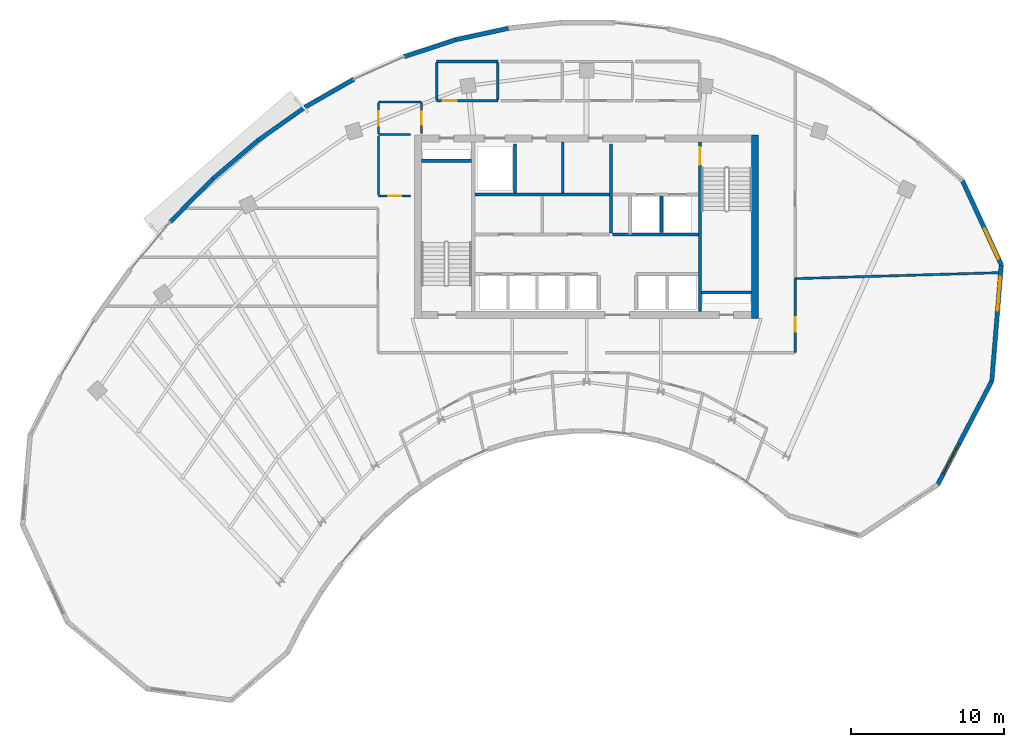
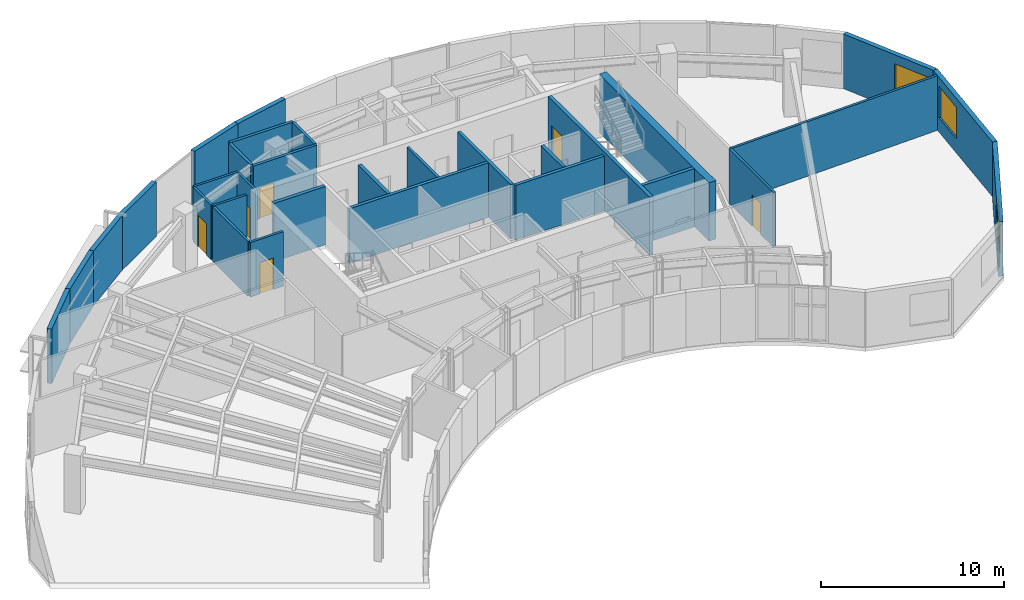
# One storey, part 9 of 12: 31 walls, 6 doors, 3 windows, 9 openings.
"""IFC4 building model written with IfcOpenShell, lengths in metres."""

from ifc_helpers import new_model, si_unit, direction, frame, frame_2d, origin, place, context, subcontext, project, spatial, rectangle, extrude, source, transform, mapped, material, layer, layer_set, type_object, type_shapes, element, fill, save


model = new_model("IFC4")

# Units and contexts
model_context = context("Model", 3, precision=1e-05, world=origin(), true_north=direction((0.0, 1.0)))
body_context = subcontext(model_context, "Body", "Model", "MODEL_VIEW")
ifc_project = project(units=[si_unit("LENGTHUNIT", "METRE"), si_unit("AREAUNIT", "SQUARE_METRE"), si_unit("VOLUMEUNIT", "CUBIC_METRE"), si_unit("PLANEANGLEUNIT", "RADIAN"), si_unit("MASSUNIT", "GRAM", prefix="KILO")], contexts=[model_context])

# Site, building, storey
site_placement = place(None, origin())
site = spatial("IfcSite", under=ifc_project, at=site_placement, CompositionType="ELEMENT")
building_placement = place(site_placement, origin())
building = spatial("IfcBuilding", under=site, at=building_placement, Name="Breltana Convention Tower", CompositionType="ELEMENT")
storey_placement = place(building_placement, frame((0.0, 0.0, 235.199951171875)))
storey = spatial("IfcBuildingStorey", under=building, at=storey_placement, Name="L57", CompositionType="ELEMENT", Elevation=235.199951171875)

# Walls
ifc_material_1 = material(Name="Concrete C50/60", Category="concrete")
ifc_layer_1 = layer(ifc_material_1, 0.39990234375, Name="Concrete C50/60")
ifc_layer_set_1 = layer_set([ifc_layer_1], Name="Concrete C50/60")
wall_type_1 = type_object("IfcWallType", Name="SW-CORE-400", PredefinedType="SHEAR", material=ifc_layer_set_1)
shared_shape_1 = source(origin(), body_context, "Body", "SweptSolid", [
    extrude(rectangle(XDim=3.27001953125, YDim=0.219970703125, at=frame_2d((1.635009765625, 0.0))), origin(), (0.0, 0.0, 1.0), 3.900146484375),
])
for number, where, z_axis, x_axis, name in (
    (1, (37.199951171875, 70.510009765625, 0.0), (0.0, 0.0, 1.0), (1.0, 0.0, 0.0), "L57 ST-1 Stairwell North Bearing Wall"),
    (2, (55.530029296875, 61.889892578125, 0.0), (0.0, 0.0, 1.0), (1.0, 0.0, 0.0), "L57 ST-2 Stairwell South Bearing Wall"),
):
    element("IfcWall", number, at=place(storey_placement, frame(where, z_axis=z_axis, x_axis=x_axis)), inside=storey, type_object=wall_type_1, Name=name, PredefinedType="SHEAR", context=body_context, shape_type="MappedRepresentation", body=[
        mapped(shared_shape_1, transform((0.0, 0.0, 0.0), scale=1.0)),
    ])
ifc_material_2 = material(Name="Concrete C60/75", Category="concrete")
ifc_layer_2 = layer(ifc_material_2, 0.449951171875, Name="Concrete C60/75")
ifc_layer_set_2 = layer_set([ifc_layer_2], Name="Concrete C60/75")
wall_type_2 = type_object("IfcWallType", Name="SW-CORE-450", PredefinedType="SHEAR", material=ifc_layer_set_2)
shared_shape_2 = source(origin(), body_context, "Body", "SweptSolid", [
    extrude(rectangle(XDim=12.0, YDim=0.449951171875, at=frame_2d((6.0, 0.0))), origin(), (0.0, 0.0, 1.0), 3.900146484375),
])
wall_1_placement = place(storey_placement, frame((59.02490234375, 60.199951171875, 0.0), z_axis=(0.0, 0.0, 1.0), x_axis=(0.0, 1.0, 0.0)))
element("IfcWall", 3, at=wall_1_placement, inside=storey, type_object=wall_type_2, Name="L57 East Core Shear Wall", PredefinedType="SHEAR", context=body_context, shape_type="MappedRepresentation", body=[
    mapped(shared_shape_2, transform((0.0, 0.0, 0.0), scale=1.0)),
])

# Wall, opening, door
shared_shape_3 = source(origin(), body_context, "Body", "SweptSolid", [
    extrude(rectangle(XDim=11.10009765625, YDim=0.219970703125, at=frame_2d((5.550048828125, 0.0))), origin(), (0.0, 0.0, 1.0), 3.900146484375),
])
wall_2_placement = place(storey_placement, frame((55.419921875, 60.64990234375, 0.0), z_axis=(0.0, 0.0, 1.0), x_axis=(0.0, 1.0, 0.0)))
wall_2 = element("IfcWall", 4, at=wall_2_placement, inside=storey, type_object=wall_type_1, Name="L57 Core East Stair Spine Wall", PredefinedType="SHEAR", context=body_context, shape_type="MappedRepresentation", body=[
    mapped(shared_shape_3, transform((0.0, 0.0, 0.0), scale=1.0)),
])
opening_1_placement = place(wall_2_placement, frame((9.594970703125, 0.0, 0.0)))
opening_1 = element("IfcOpeningElement", 5, at=opening_1_placement, cuts=wall_2, Name="Opening D-11", PredefinedType="OPENING", context=body_context, shape_type="SweptSolid", body=[
    extrude(rectangle(XDim=1.14990234375, YDim=2.14990234375, at=frame_2d((0.574951171875, 1.074951171875))), frame((0.0, 0.1201171875, 0.0), z_axis=(0.0, -1.0, 0.0), x_axis=(1.0, 0.0, 0.0)), (0.0, 0.0, 1.0), 0.239990234375),
])
ifc_material_3 = material(Name="Steel Stair Exit Door", Category="steel")
door_type_1 = type_object("IfcDoorType", Name="DR-FD120-1150", OperationType="NOTDEFINED", PredefinedType="DOOR", material=ifc_material_3)
shared_shape_4 = source(origin(), body_context, "Body", "SweptSolid", [
    extrude(rectangle(XDim=1.14990234375, YDim=2.14990234375, at=frame_2d((0.574951171875, 1.074951171875))), frame((0.0, 0.02490234375, 0.0), z_axis=(0.0, -1.0, 0.0), x_axis=(1.0, 0.0, 0.0)), (0.0, 0.0, 1.0), 0.050048828125),
])
type_shapes(door_type_1, [shared_shape_4])
door_1_placement = place(opening_1_placement, origin())
door_1 = element("IfcDoor", 6, at=door_1_placement, inside=storey, type_object=door_type_1, Name="L57 interior door D-L57-ST2", OperationType="SINGLE_SWING_LEFT", OverallHeight=2.14990234375, OverallWidth=1.14990234375, PredefinedType="DOOR", context=body_context, shape_type="MappedRepresentation", body=[
    mapped(shared_shape_4, transform((0.0, 0.0, 0.0), scale=1.0)),
])
fill(opening_1, door_1)

# Wall, opening, window
ifc_material_4 = material(Name="Limestone Buff Insulated Wall", Category="masonry")
ifc_layer_3 = layer(ifc_material_4, 0.280029296875, Name="Limestone Buff Insulated Wall")
ifc_layer_set_3 = layer_set([ifc_layer_3], Name="Limestone Buff Insulated Wall")
wall_type_3 = type_object("IfcWallType", Name="WL-EXT-NOSE-280", PredefinedType="SOLIDWALL", material=ifc_layer_set_3)
shared_shape_5 = source(origin(), body_context, "Body", "SweptSolid", [
    extrude(rectangle(XDim=6.049560546875, YDim=0.280029296875, at=frame_2d((3.02490234375, 0.0))), origin(), (0.0, 0.0, 1.0), 3.650146484375),
])
wall_3_placement = place(storey_placement, frame((72.57421875, 69.1982421875, 0.0), z_axis=(0.0, 0.0, 1.0), x_axis=(0.41942922905, -0.907788037935, 0.0)))
wall_3 = element("IfcWall", 7, at=wall_3_placement, inside=storey, type_object=wall_type_3, Name="L57 curved limestone nose wall E1", PredefinedType="SOLIDWALL", context=body_context, shape_type="MappedRepresentation", body=[
    mapped(shared_shape_5, transform((0.0, 0.0, 0.0), scale=1.0)),
])
opening_2_placement = place(wall_3_placement, frame((3.437255859375, 0.0, 0.949951171875)))
opening_2 = element("IfcOpeningElement", 8, at=opening_2_placement, cuts=wall_3, Name="Opening W-03", PredefinedType="OPENING", context=body_context, shape_type="SweptSolid", body=[
    extrude(rectangle(XDim=2.199951171875, YDim=2.10009765625, at=frame_2d((1.10009765625, 1.050048828125))), frame((0.0, 0.14990234375, 0.0), z_axis=(0.0, -1.0, 0.0), x_axis=(1.0, 0.0, 0.0)), (0.0, 0.0, 1.0), 0.300048828125),
])
ifc_material_5 = material(Name="Glass Low-E Insulated Window", Category="glass")
window_type = type_object("IfcWindowType", Name="WN-NOSE-2200X2100", PartitioningType="TRIPLE_PANEL_VERTICAL", PredefinedType="WINDOW", material=ifc_material_5)
shared_shape_6 = source(origin(), body_context, "Body", "SweptSolid", [
    extrude(rectangle(XDim=2.199951171875, YDim=2.10009765625, at=frame_2d((1.10009765625, 1.050048828125))), frame((0.0, 0.030029296875, 0.0), z_axis=(0.0, -1.0, 0.0), x_axis=(1.0, 0.0, 0.0)), (0.0, 0.0, 1.0), 0.06005859375),
])
type_shapes(window_type, [shared_shape_6])
window_1_placement = place(opening_2_placement, origin())
window_1 = element("IfcWindow", 9, at=window_1_placement, inside=storey, type_object=window_type, Name="L57 nose window E1", OverallHeight=2.10009765625, OverallWidth=2.199951171875, PartitioningType="TRIPLE_PANEL_VERTICAL", PredefinedType="WINDOW", context=body_context, shape_type="MappedRepresentation", body=[
    mapped(shared_shape_6, transform((0.0, 0.0, 0.0), scale=1.0)),
])
fill(opening_2, window_1)

shared_shape_7 = source(origin(), body_context, "Body", "SweptSolid", [
    extrude(rectangle(XDim=7.618408203125, YDim=0.280029296875, at=frame_2d((3.80908203125, 0.0))), origin(), (0.0, 0.0, 1.0), 3.650146484375),
])
wall_4_placement = place(storey_placement, frame((75.111572265625, 63.70654296875, 0.0), z_axis=(0.0, 0.0, 1.0), x_axis=(-0.080820171031, -0.996728699273, 0.0)))
wall_4 = element("IfcWall", 10, at=wall_4_placement, inside=storey, type_object=wall_type_3, Name="L57 curved limestone nose wall E2", PredefinedType="SOLIDWALL", context=body_context, shape_type="MappedRepresentation", body=[
    mapped(shared_shape_7, transform((0.0, 0.0, 0.0), scale=1.0)),
])
opening_3_placement = place(wall_4_placement, frame((0.8046875, 0.0, 0.949951171875)))
opening_3 = element("IfcOpeningElement", 11, at=opening_3_placement, cuts=wall_4, Name="Opening W-03", PredefinedType="OPENING", context=body_context, shape_type="SweptSolid", body=[
    extrude(rectangle(XDim=2.199951171875, YDim=2.10009765625, at=frame_2d((1.10009765625, 1.050048828125))), frame((0.0, 0.14990234375, 0.0), z_axis=(0.0, -1.0, 0.0), x_axis=(1.0, 0.0, 0.0)), (0.0, 0.0, 1.0), 0.300048828125),
])
window_2_placement = place(opening_3_placement, origin())
window_2 = element("IfcWindow", 12, at=window_2_placement, inside=storey, type_object=window_type, Name="L57 nose window E2", OverallHeight=2.10009765625, OverallWidth=2.199951171875, PartitioningType="TRIPLE_PANEL_VERTICAL", PredefinedType="WINDOW", context=body_context, shape_type="MappedRepresentation", body=[
    mapped(shared_shape_6, transform((0.0, 0.0, 0.0), scale=1.0)),
])
fill(opening_3, window_2)

shared_shape_8 = source(origin(), body_context, "Body", "SweptSolid", [
    extrude(rectangle(XDim=7.647705078125, YDim=0.280029296875, at=frame_2d((3.82373046875, 0.0))), origin(), (0.0, 0.0, 1.0), 3.650146484375),
])
wall_5_placement = place(storey_placement, frame((74.495849609375, 56.113037109375, 0.0), z_axis=(0.0, 0.0, 1.0), x_axis=(-0.463116873665, -0.886297219519, 0.0)))
wall_5 = element("IfcWall", 13, at=wall_5_placement, inside=storey, type_object=wall_type_3, Name="L57 curved limestone nose wall E3", PredefinedType="SOLIDWALL", context=body_context, shape_type="MappedRepresentation", body=[
    mapped(shared_shape_8, transform((0.0, 0.0, 0.0), scale=1.0)),
])
opening_4_placement = place(wall_5_placement, frame((4.6357421875, 0.0, 0.949951171875)))
opening_4 = element("IfcOpeningElement", 14, at=opening_4_placement, cuts=wall_5, Name="Opening W-03", PredefinedType="OPENING", context=body_context, shape_type="SweptSolid", body=[
    extrude(rectangle(XDim=2.199951171875, YDim=2.10009765625, at=frame_2d((1.10009765625, 1.050048828125))), frame((0.0, 0.14990234375, 0.0), z_axis=(0.0, -1.0, 0.0), x_axis=(1.0, 0.0, 0.0)), (0.0, 0.0, 1.0), 0.300048828125),
])
window_3_placement = place(opening_4_placement, origin())
window_3 = element("IfcWindow", 15, at=window_3_placement, inside=storey, type_object=window_type, Name="L57 nose window E3", OverallHeight=2.10009765625, OverallWidth=2.199951171875, PartitioningType="TRIPLE_PANEL_VERTICAL", PredefinedType="WINDOW", context=body_context, shape_type="MappedRepresentation", body=[
    mapped(shared_shape_6, transform((0.0, 0.0, 0.0), scale=1.0)),
])
fill(opening_4, window_3)

# Walls
shared_shape_9 = source(origin(), body_context, "Body", "SweptSolid", [
    extrude(rectangle(XDim=3.955078125, YDim=0.280029296875, at=frame_2d((1.9775390625, 0.0))), origin(), (0.0, 0.0, 1.0), 3.650146484375),
])
wall_6_placement = place(storey_placement, frame((20.7763671875, 66.50732421875, 0.0), z_axis=(0.0, 0.0, 1.0), x_axis=(0.702710517474, 0.711475880569, 0.0)))
element("IfcWall", 16, at=wall_6_placement, inside=storey, type_object=wall_type_3, Name="L57 curved limestone nose wall E21", PredefinedType="SOLIDWALL", context=body_context, shape_type="MappedRepresentation", body=[
    mapped(shared_shape_9, transform((0.0, 0.0, 0.0), scale=1.0)),
])
shared_shape_10 = source(origin(), body_context, "Body", "SweptSolid", [
    extrude(rectangle(XDim=3.8603515625, YDim=0.280029296875, at=frame_2d((1.93017578125, 0.0))), origin(), (0.0, 0.0, 1.0), 3.650146484375),
])
wall_7_placement = place(storey_placement, frame((23.5556640625, 69.3212890625, 0.0), z_axis=(0.0, 0.0, 1.0), x_axis=(0.761497547739, 0.648167790613, 0.0)))
element("IfcWall", 17, at=wall_7_placement, inside=storey, type_object=wall_type_3, Name="L57 curved limestone nose wall E22", PredefinedType="SOLIDWALL", context=body_context, shape_type="MappedRepresentation", body=[
    mapped(shared_shape_10, transform((0.0, 0.0, 0.0), scale=1.0)),
])
shared_shape_11 = source(origin(), body_context, "Body", "SweptSolid", [
    extrude(rectangle(XDim=3.770263671875, YDim=0.280029296875, at=frame_2d((1.88525390625, 0.0))), origin(), (0.0, 0.0, 1.0), 3.650146484375),
])
wall_8_placement = place(storey_placement, frame((26.495361328125, 71.823486328125, 0.0), z_axis=(0.0, 0.0, 1.0), x_axis=(0.817001958662, 0.576634892755, 0.0)))
element("IfcWall", 18, at=wall_8_placement, inside=storey, type_object=wall_type_3, Name="L57 curved limestone nose wall E23", PredefinedType="SOLIDWALL", context=body_context, shape_type="MappedRepresentation", body=[
    mapped(shared_shape_11, transform((0.0, 0.0, 0.0), scale=1.0)),
])
shared_shape_12 = source(origin(), body_context, "Body", "SweptSolid", [
    extrude(rectangle(XDim=3.68798828125, YDim=0.280029296875, at=frame_2d((1.843994140625, 0.0))), origin(), (0.0, 0.0, 1.0), 3.650146484375),
])
wall_9_placement = place(storey_placement, frame((29.57568359375, 73.99755859375, 0.0), z_axis=(0.0, 0.0, 1.0), x_axis=(0.867929289274, 0.496687778005, 0.0)))
element("IfcWall", 19, at=wall_9_placement, inside=storey, type_object=wall_type_3, Name="L57 curved limestone nose wall E24", PredefinedType="SOLIDWALL", context=body_context, shape_type="MappedRepresentation", body=[
    mapped(shared_shape_12, transform((0.0, 0.0, 0.0), scale=1.0)),
])
shared_shape_13 = source(origin(), body_context, "Body", "SweptSolid", [
    extrude(rectangle(XDim=3.556884765625, YDim=0.280029296875, at=frame_2d((1.7783203125, 0.0))), origin(), (0.0, 0.0, 1.0), 3.650146484375),
])
wall_10_placement = place(storey_placement, frame((36.07666015625, 77.306640625, 0.0), z_axis=(0.0, 0.0, 1.0), x_axis=(0.949687460385, 0.31319918197, 0.0)))
element("IfcWall", 20, at=wall_10_placement, inside=storey, type_object=wall_type_3, Name="L57 curved limestone nose wall E25", PredefinedType="SOLIDWALL", context=body_context, shape_type="MappedRepresentation", body=[
    mapped(shared_shape_13, transform((0.0, 0.0, 0.0), scale=1.0)),
])
shared_shape_14 = source(origin(), body_context, "Body", "SweptSolid", [
    extrude(rectangle(XDim=3.512939453125, YDim=0.280029296875, at=frame_2d((1.75634765625, 0.0))), origin(), (0.0, 0.0, 1.0), 3.650146484375),
])
wall_11_placement = place(storey_placement, frame((39.45458984375, 78.420654296875, 0.0), z_axis=(0.0, 0.0, 1.0), x_axis=(0.977366029072, 0.211555300611, 0.0)))
element("IfcWall", 21, at=wall_11_placement, inside=storey, type_object=wall_type_3, Name="L57 curved limestone nose wall E26", PredefinedType="SOLIDWALL", context=body_context, shape_type="MappedRepresentation", body=[
    mapped(shared_shape_14, transform((0.0, 0.0, 0.0), scale=1.0)),
])
ifc_material_6 = material(Name="Autoclaved Aerated Concrete Block", Category="concrete")
ifc_layer_4 = layer(ifc_material_6, 0.199951171875, Name="Autoclaved Aerated Concrete Block")
ifc_layer_set_4 = layer_set([ifc_layer_4], Name="Autoclaved Aerated Concrete Block")
wall_type_4 = type_object("IfcWallType", Name="WL-SHAFT-200", PredefinedType="SOLIDWALL", material=ifc_layer_set_4)
shared_shape_15 = source(origin(), body_context, "Body", "SweptSolid", [
    extrude(rectangle(XDim=5.6201171875, YDim=0.199951171875, at=frame_2d((2.81005859375, 0.0))), origin(), (0.0, 0.0, 1.0), 3.650146484375),
])
wall_12_placement = place(storey_placement, frame((49.699951171875, 65.679931640625, 0.0), z_axis=(0.0, 0.0, 1.0), x_axis=(1.0, 0.0, 0.0)))
element("IfcWall", 22, at=wall_12_placement, inside=storey, type_object=wall_type_4, Name="L57 interior partition W-L57-FL-S", PredefinedType="SOLIDWALL", context=body_context, shape_type="MappedRepresentation", body=[
    mapped(shared_shape_15, transform((0.0, 0.0, 0.0), scale=1.0)),
])
shared_shape_16 = source(origin(), body_context, "Body", "SweptSolid", [
    extrude(rectangle(XDim=5.800048828125, YDim=0.199951171875, at=frame_2d((2.89990234375, 0.0))), origin(), (0.0, 0.0, 1.0), 3.650146484375),
])
wall_13_placement = place(storey_placement, frame((49.60009765625, 65.800048828125, 0.0), z_axis=(0.0, 0.0, 1.0), x_axis=(0.0, 1.0, 0.0)))
element("IfcWall", 23, at=wall_13_placement, inside=storey, type_object=wall_type_4, Name="L57 interior partition W-L57-FFL-W", PredefinedType="SOLIDWALL", context=body_context, shape_type="MappedRepresentation", body=[
    mapped(shared_shape_16, transform((0.0, 0.0, 0.0), scale=1.0)),
])
shared_shape_17 = source(origin(), body_context, "Body", "SweptSolid", [
    extrude(rectangle(XDim=2.39990234375, YDim=0.199951171875, at=frame_2d((1.199951171875, 0.0))), origin(), (0.0, 0.0, 1.0), 3.650146484375),
])
wall_14_placement = place(storey_placement, frame((52.89990234375, 65.800048828125, 0.0), z_axis=(0.0, 0.0, 1.0), x_axis=(0.0, 1.0, 0.0)))
element("IfcWall", 24, at=wall_14_placement, inside=storey, type_object=wall_type_4, Name="L57 interior partition W-L57-FL-DIV", PredefinedType="SOLIDWALL", context=body_context, shape_type="MappedRepresentation", body=[
    mapped(shared_shape_17, transform((0.0, 0.0, 0.0), scale=1.0)),
])
shared_shape_18 = source(origin(), body_context, "Body", "SweptSolid", [
    extrude(rectangle(XDim=3.2001953125, YDim=0.199951171875, at=frame_2d((1.60009765625, 0.0))), origin(), (0.0, 0.0, 1.0), 3.650146484375),
])
wall_15_placement = place(storey_placement, frame((43.320068359375, 68.39990234375, 0.0), z_axis=(0.0, 0.0, 1.0), x_axis=(0.0, 1.0, 0.0)))
element("IfcWall", 25, at=wall_15_placement, inside=storey, type_object=wall_type_4, Name="L57 interior partition W-L57-SV-E", PredefinedType="SOLIDWALL", context=body_context, shape_type="MappedRepresentation", body=[
    mapped(shared_shape_18, transform((0.0, 0.0, 0.0), scale=1.0)),
])
shared_shape_19 = source(origin(), body_context, "Body", "SweptSolid", [
    extrude(rectangle(XDim=8.800048828125, YDim=0.199951171875, at=frame_2d((4.39990234375, 0.0))), origin(), (0.0, 0.0, 1.0), 3.650146484375),
])
wall_16_placement = place(storey_placement, frame((40.699951171875, 68.300048828125, 0.0), z_axis=(0.0, 0.0, 1.0), x_axis=(1.0, 0.0, 0.0)))
element("IfcWall", 26, at=wall_16_placement, inside=storey, type_object=wall_type_4, Name="L57 interior partition W-L57-SV-S", PredefinedType="SOLIDWALL", context=body_context, shape_type="MappedRepresentation", body=[
    mapped(shared_shape_19, transform((0.0, 0.0, 0.0), scale=1.0)),
])
ifc_material_7 = material(Name="Gypsum Acoustic Drywall Partition")
ifc_layer_5 = layer(ifc_material_7, 0.14990234375, Name="Gypsum Acoustic Drywall Partition")
ifc_layer_set_5 = layer_set([ifc_layer_5], Name="Gypsum Acoustic Drywall Partition")
wall_type_5 = type_object("IfcWallType", Name="WL-PART-150", PredefinedType="PARTITIONING", material=ifc_layer_set_5)
shared_shape_20 = source(origin(), body_context, "Body", "SweptSolid", [
    extrude(rectangle(XDim=2.10009765625, YDim=0.14990234375, at=frame_2d((1.050048828125, 0.0))), origin(), (0.0, 0.0, 1.0), 3.650146484375),
])
wall_17_placement = place(storey_placement, frame((34.39990234375, 72.219970703125, 0.0), z_axis=(0.0, 0.0, 1.0), x_axis=(1.0, 0.0, 0.0)))
element("IfcWall", 27, at=wall_17_placement, inside=storey, type_object=wall_type_5, Name="L57 interior partition W-L57-CRNW-S", PredefinedType="PARTITIONING", context=body_context, shape_type="MappedRepresentation", body=[
    mapped(shared_shape_20, transform((0.0, 0.0, 0.0), scale=1.0)),
])

# Wall, opening, door
wall_18_placement = place(storey_placement, frame((34.39990234375, 68.199951171875, 0.0), z_axis=(0.0, 0.0, 1.0), x_axis=(1.0, 0.0, 0.0)))
wall_18 = element("IfcWall", 28, at=wall_18_placement, inside=storey, type_object=wall_type_5, Name="L57 interior partition W-L57-CRSW-S", PredefinedType="PARTITIONING", context=body_context, shape_type="MappedRepresentation", body=[
    mapped(shared_shape_20, transform((0.0, 0.0, 0.0), scale=1.0)),
])
opening_5_placement = place(wall_18_placement, frame((0.625, 0.0, 0.0)))
opening_5 = element("IfcOpeningElement", 29, at=opening_5_placement, cuts=wall_18, Name="Opening D-20", PredefinedType="OPENING", context=body_context, shape_type="SweptSolid", body=[
    extrude(rectangle(XDim=0.85009765625, YDim=2.10009765625, at=frame_2d((0.425048828125, 1.050048828125))), frame((0.0, 0.0849609375, 0.0), z_axis=(0.0, -1.0, 0.0), x_axis=(1.0, 0.0, 0.0)), (0.0, 0.0, 1.0), 0.169921875),
])
ifc_material_8 = material(Name="Steel Closet Fire Door", Category="steel")
door_type_2 = type_object("IfcDoorType", Name="DR-FD60-850", OperationType="NOTDEFINED", PredefinedType="DOOR", material=ifc_material_8)
shared_shape_21 = source(origin(), body_context, "Body", "SweptSolid", [
    extrude(rectangle(XDim=0.85009765625, YDim=2.10009765625, at=frame_2d((0.425048828125, 1.050048828125))), frame((0.0, 0.02490234375, 0.0), z_axis=(0.0, -1.0, 0.0), x_axis=(1.0, 0.0, 0.0)), (0.0, 0.0, 1.0), 0.050048828125),
])
type_shapes(door_type_2, [shared_shape_21])
door_2_placement = place(opening_5_placement, origin())
door_2 = element("IfcDoor", 30, at=door_2_placement, inside=storey, type_object=door_type_2, Name="L57 interior door D-L57-CRSW", OperationType="SINGLE_SWING_RIGHT", OverallHeight=2.10009765625, OverallWidth=0.85009765625, PredefinedType="DOOR", context=body_context, shape_type="MappedRepresentation", body=[
    mapped(shared_shape_21, transform((0.0, 0.0, 0.0), scale=1.0)),
])
fill(opening_5, door_2)

# Wall
shared_shape_22 = source(origin(), body_context, "Body", "SweptSolid", [
    extrude(rectangle(XDim=2.800048828125, YDim=0.14990234375, at=frame_2d((1.39990234375, 0.0))), origin(), (0.0, 0.0, 1.0), 3.650146484375),
])
wall_19_placement = place(storey_placement, frame((34.39990234375, 74.35009765625, 0.0), z_axis=(0.0, 0.0, 1.0), x_axis=(1.0, 0.0, 0.0)))
element("IfcWall", 31, at=wall_19_placement, inside=storey, type_object=wall_type_5, Name="L57 interior partition W-L57-CRNW-N", PredefinedType="PARTITIONING", context=body_context, shape_type="MappedRepresentation", body=[
    mapped(shared_shape_22, transform((0.0, 0.0, 0.0), scale=1.0)),
])

# Wall, opening, door
shared_shape_23 = source(origin(), body_context, "Body", "SweptSolid", [
    extrude(rectangle(XDim=1.994873046875, YDim=0.14990234375, at=frame_2d((0.99755859375, 0.0))), origin(), (0.0, 0.0, 1.0), 3.650146484375),
])
wall_20_placement = place(storey_placement, frame((34.39990234375, 72.28759765625, 0.0), z_axis=(0.0, 0.0, 1.0), x_axis=(0.0, 1.0, 0.0)))
wall_20 = element("IfcWall", 32, at=wall_20_placement, inside=storey, type_object=wall_type_5, Name="L57 interior partition W-L57-CRNW-W", PredefinedType="PARTITIONING", context=body_context, shape_type="MappedRepresentation", body=[
    mapped(shared_shape_23, transform((0.0, 0.0, 0.0), scale=1.0)),
])
opening_6_placement = place(wall_20_placement, frame((0.5224609375, 0.0, 0.0)))
opening_6 = element("IfcOpeningElement", 33, at=opening_6_placement, cuts=wall_20, Name="Opening D-17", PredefinedType="OPENING", context=body_context, shape_type="SweptSolid", body=[
    extrude(rectangle(XDim=0.949951171875, YDim=2.10009765625, at=frame_2d((0.47509765625, 1.050048828125))), frame((0.0, 0.0849609375, 0.0), z_axis=(0.0, -1.0, 0.0), x_axis=(1.0, 0.0, 0.0)), (0.0, 0.0, 1.0), 0.169921875),
])
ifc_material_9 = material(Name="Timber Oak Veneer Door", Category="wood")
door_type_3 = type_object("IfcDoorType", Name="DR-INT-950", OperationType="NOTDEFINED", PredefinedType="DOOR", material=ifc_material_9)
shared_shape_24 = source(origin(), body_context, "Body", "SweptSolid", [
    extrude(rectangle(XDim=0.949951171875, YDim=2.10009765625, at=frame_2d((0.47509765625, 1.050048828125))), frame((0.0, 0.02490234375, 0.0), z_axis=(0.0, -1.0, 0.0), x_axis=(1.0, 0.0, 0.0)), (0.0, 0.0, 1.0), 0.050048828125),
])
type_shapes(door_type_3, [shared_shape_24])
door_3_placement = place(opening_6_placement, origin())
door_3 = element("IfcDoor", 34, at=door_3_placement, inside=storey, type_object=door_type_3, Name="L57 interior door D-L57-EXW4", OperationType="SINGLE_SWING_LEFT", OverallHeight=2.10009765625, OverallWidth=0.949951171875, PredefinedType="DOOR", context=body_context, shape_type="MappedRepresentation", body=[
    mapped(shared_shape_24, transform((0.0, 0.0, 0.0), scale=1.0)),
])
fill(opening_6, door_3)

shared_shape_25 = source(origin(), body_context, "Body", "SweptSolid", [
    extrude(rectangle(XDim=1.982421875, YDim=0.14990234375, at=frame_2d((0.9912109375, 0.0))), origin(), (0.0, 0.0, 1.0), 3.650146484375),
])
wall_21_placement = place(storey_placement, frame((37.199951171875, 72.300048828125, 0.0), z_axis=(0.0, 0.0, 1.0), x_axis=(0.0, 1.0, 0.0)))
wall_21 = element("IfcWall", 35, at=wall_21_placement, inside=storey, type_object=wall_type_5, Name="L57 interior partition W-L57-CRNW-E", PredefinedType="PARTITIONING", context=body_context, shape_type="MappedRepresentation", body=[
    mapped(shared_shape_25, transform((0.0, 0.0, 0.0), scale=1.0)),
])
opening_7_placement = place(wall_21_placement, frame((0.56640625, 0.0, 0.0)))
opening_7 = element("IfcOpeningElement", 36, at=opening_7_placement, cuts=wall_21, Name="Opening D-20", PredefinedType="OPENING", context=body_context, shape_type="SweptSolid", body=[
    extrude(rectangle(XDim=0.85009765625, YDim=2.10009765625, at=frame_2d((0.425048828125, 1.050048828125))), frame((0.0, 0.0849609375, 0.0), z_axis=(0.0, -1.0, 0.0), x_axis=(1.0, 0.0, 0.0)), (0.0, 0.0, 1.0), 0.169921875),
])
door_4_placement = place(opening_7_placement, origin())
door_4 = element("IfcDoor", 37, at=door_4_placement, inside=storey, type_object=door_type_2, Name="L57 interior door D-L57-CRNW", OperationType="SINGLE_SWING_LEFT", OverallHeight=2.10009765625, OverallWidth=0.85009765625, PredefinedType="DOOR", context=body_context, shape_type="MappedRepresentation", body=[
    mapped(shared_shape_21, transform((0.0, 0.0, 0.0), scale=1.0)),
])
fill(opening_7, door_4)

# Wall
shared_shape_26 = source(origin(), body_context, "Body", "SweptSolid", [
    extrude(rectangle(XDim=3.844970703125, YDim=0.14990234375, at=frame_2d((1.92236328125, 0.0))), origin(), (0.0, 0.0, 1.0), 3.650146484375),
])
wall_22_placement = place(storey_placement, frame((34.39990234375, 68.267578125, 0.0), z_axis=(0.0, 0.0, 1.0), x_axis=(0.0, 1.0, 0.0)))
element("IfcWall", 38, at=wall_22_placement, inside=storey, type_object=wall_type_5, Name="L57 interior partition W-L57-CRSW-W", PredefinedType="PARTITIONING", context=body_context, shape_type="MappedRepresentation", body=[
    mapped(shared_shape_26, transform((0.0, 0.0, 0.0), scale=1.0)),
])

# Wall, opening, door
ifc_material_10 = material(Name="Cement Board Wet-Area Partition")
ifc_layer_6 = layer(ifc_material_10, 0.175048828125, Name="Cement Board Wet-Area Partition")
ifc_layer_set_6 = layer_set([ifc_layer_6], Name="Cement Board Wet-Area Partition")
wall_type_6 = type_object("IfcWallType", Name="WL-WET-175", PredefinedType="PARTITIONING", material=ifc_layer_set_6)
shared_shape_27 = source(origin(), body_context, "Body", "SweptSolid", [
    extrude(rectangle(XDim=4.0, YDim=0.175048828125, at=frame_2d((2.0, 0.0))), origin(), (0.0, 0.0, 1.0), 3.650146484375),
])
wall_23_placement = place(storey_placement, frame((38.199951171875, 74.43994140625, 0.0), z_axis=(0.0, 0.0, 1.0), x_axis=(1.0, 0.0, 0.0)))
wall_23 = element("IfcWall", 39, at=wall_23_placement, inside=storey, type_object=wall_type_6, Name="L57 interior partition W-L57-WCM-S", PredefinedType="PARTITIONING", context=body_context, shape_type="MappedRepresentation", body=[
    mapped(shared_shape_27, transform((0.0, 0.0, 0.0), scale=1.0)),
])
opening_8_placement = place(wall_23_placement, frame((0.39990234375, 0.0, 0.0)))
opening_8 = element("IfcOpeningElement", 40, at=opening_8_placement, cuts=wall_23, Name="Opening D-19", PredefinedType="OPENING", context=body_context, shape_type="SweptSolid", body=[
    extrude(rectangle(XDim=0.89990234375, YDim=2.080078125, at=frame_2d((0.449951171875, 1.0400390625))), frame((0.0, 0.09765625, 0.0), z_axis=(0.0, -1.0, 0.0), x_axis=(1.0, 0.0, 0.0)), (0.0, 0.0, 1.0), 0.195068359375),
])
ifc_material_11 = material(Name="Timber Moisture-Resistant Door", Category="wood")
door_type_4 = type_object("IfcDoorType", Name="DR-WC-900", OperationType="NOTDEFINED", PredefinedType="DOOR", material=ifc_material_11)
shared_shape_28 = source(origin(), body_context, "Body", "SweptSolid", [
    extrude(rectangle(XDim=0.89990234375, YDim=2.080078125, at=frame_2d((0.449951171875, 1.0400390625))), frame((0.0, 0.02490234375, 0.0), z_axis=(0.0, -1.0, 0.0), x_axis=(1.0, 0.0, 0.0)), (0.0, 0.0, 1.0), 0.050048828125),
])
type_shapes(door_type_4, [shared_shape_28])
door_5_placement = place(opening_8_placement, origin())
door_5 = element("IfcDoor", 41, at=door_5_placement, inside=storey, type_object=door_type_4, Name="L57 interior door D-L57-WCM", OperationType="SINGLE_SWING_LEFT", OverallHeight=2.080078125, OverallWidth=0.89990234375, PredefinedType="DOOR", context=body_context, shape_type="MappedRepresentation", body=[
    mapped(shared_shape_28, transform((0.0, 0.0, 0.0), scale=1.0)),
])
fill(opening_8, door_5)

# Walls
ifc_material_12 = material(Name="Moisture-Resistant Gypsum Chase Wall")
ifc_layer_7 = layer(ifc_material_12, 0.179931640625, Name="Moisture-Resistant Gypsum Chase Wall")
ifc_layer_set_7 = layer_set([ifc_layer_7], Name="Moisture-Resistant Gypsum Chase Wall")
wall_type_7 = type_object("IfcWallType", Name="WL-PLUMB-180", PredefinedType="PLUMBINGWALL", material=ifc_layer_set_7)
shared_shape_29 = source(origin(), body_context, "Body", "SweptSolid", [
    extrude(rectangle(XDim=4.0, YDim=0.179931640625, at=frame_2d((2.0, 0.0))), origin(), (0.0, 0.0, 1.0), 3.650146484375),
])
wall_24_placement = place(storey_placement, frame((38.199951171875, 77.0, 0.0), z_axis=(0.0, 0.0, 1.0), x_axis=(1.0, 0.0, 0.0)))
element("IfcWall", 42, at=wall_24_placement, inside=storey, type_object=wall_type_7, Name="L57 interior partition W-L57-WCM-N", PredefinedType="PLUMBINGWALL", context=body_context, shape_type="MappedRepresentation", body=[
    mapped(shared_shape_29, transform((0.0, 0.0, 0.0), scale=1.0)),
])
shared_shape_30 = source(origin(), body_context, "Body", "SweptSolid", [
    extrude(rectangle(XDim=2.402587890625, YDim=0.175048828125, at=frame_2d((1.201171875, 0.0))), origin(), (0.0, 0.0, 1.0), 3.650146484375),
])
for number, where, z_axis, x_axis, name in (
    (43, (38.199951171875, 74.518798828125, 0.0), (0.0, 0.0, 1.0), (0.0, 1.0, 0.0), "L57 interior partition W-L57-WCM-W"),
    (44, (42.199951171875, 74.518798828125, 0.0), (0.0, 0.0, 1.0), (0.0, 1.0, 0.0), "L57 interior partition W-L57-WCM-E"),
):
    element("IfcWall", number, at=place(storey_placement, frame(where, z_axis=z_axis, x_axis=x_axis)), inside=storey, type_object=wall_type_6, Name=name, PredefinedType="PARTITIONING", context=body_context, shape_type="MappedRepresentation", body=[
        mapped(shared_shape_30, transform((0.0, 0.0, 0.0), scale=1.0)),
    ])
shared_shape_31 = source(origin(), body_context, "Body", "SweptSolid", [
    extrude(rectangle(XDim=3.330078125, YDim=0.14990234375, at=frame_2d((1.6650390625, 0.0))), origin(), (0.0, 0.0, 1.0), 3.650146484375),
])
wall_25_placement = place(storey_placement, frame((46.449951171875, 68.39990234375, 0.0), z_axis=(0.0, 0.0, 1.0), x_axis=(0.0, 1.0, 0.0)))
element("IfcWall", 45, at=wall_25_placement, inside=storey, type_object=wall_type_5, Name="L57 interior partition W-L57-KV-1", PredefinedType="PARTITIONING", context=body_context, shape_type="MappedRepresentation", body=[
    mapped(shared_shape_31, transform((0.0, 0.0, 0.0), scale=1.0)),
])
shared_shape_32 = source(origin(), body_context, "Body", "SweptSolid", [
    extrude(rectangle(XDim=13.31494140625, YDim=0.14990234375, at=frame_2d((6.657470703125, 0.0))), origin(), (0.0, 0.0, 1.0), 3.650146484375),
])
wall_26_placement = place(storey_placement, frame((61.639892578125, 62.800048828125, 0.0), z_axis=(0.0, 0.0, 1.0), x_axis=(0.999574400598, 0.029172207124, 0.0)))
element("IfcWall", 46, at=wall_26_placement, inside=storey, type_object=wall_type_5, Name="L57 interior partition W-L57-EXE1-N", PredefinedType="PARTITIONING", context=body_context, shape_type="MappedRepresentation", body=[
    mapped(shared_shape_32, transform((0.0, 0.0, 0.0), scale=1.0)),
])

# Wall, opening, door
shared_shape_33 = source(origin(), body_context, "Body", "SweptSolid", [
    extrude(rectangle(XDim=4.840087890625, YDim=0.14990234375, at=frame_2d((2.419921875, 0.0))), origin(), (0.0, 0.0, 1.0), 3.650146484375),
])
wall_27_placement = place(storey_placement, frame((61.639892578125, 57.9599609375, 0.0), z_axis=(0.0, 0.0, 1.0), x_axis=(0.0, 1.0, 0.0)))
wall_27 = element("IfcWall", 47, at=wall_27_placement, inside=storey, type_object=wall_type_5, Name="L57 interior partition W-L57-EXE1-ENT", PredefinedType="PARTITIONING", context=body_context, shape_type="MappedRepresentation", body=[
    mapped(shared_shape_33, transform((0.0, 0.0, 0.0), scale=1.0)),
])
opening_9_placement = place(wall_27_placement, frame((1.3642578125, 0.0, 0.0)))
opening_9 = element("IfcOpeningElement", 48, at=opening_9_placement, cuts=wall_27, Name="Opening D-17", PredefinedType="OPENING", context=body_context, shape_type="SweptSolid", body=[
    extrude(rectangle(XDim=0.949951171875, YDim=2.10009765625, at=frame_2d((0.47509765625, 1.050048828125))), frame((0.0, 0.0849609375, 0.0), z_axis=(0.0, -1.0, 0.0), x_axis=(1.0, 0.0, 0.0)), (0.0, 0.0, 1.0), 0.169921875),
])
door_6_placement = place(opening_9_placement, origin())
door_6 = element("IfcDoor", 49, at=door_6_placement, inside=storey, type_object=door_type_3, Name="L57 interior door D-L57-EXE1", OperationType="SINGLE_SWING_RIGHT", OverallHeight=2.10009765625, OverallWidth=0.949951171875, PredefinedType="DOOR", context=body_context, shape_type="MappedRepresentation", body=[
    mapped(shared_shape_24, transform((0.0, 0.0, 0.0), scale=1.0)),
])
fill(opening_9, door_6)

save(model, "model.ifc")
